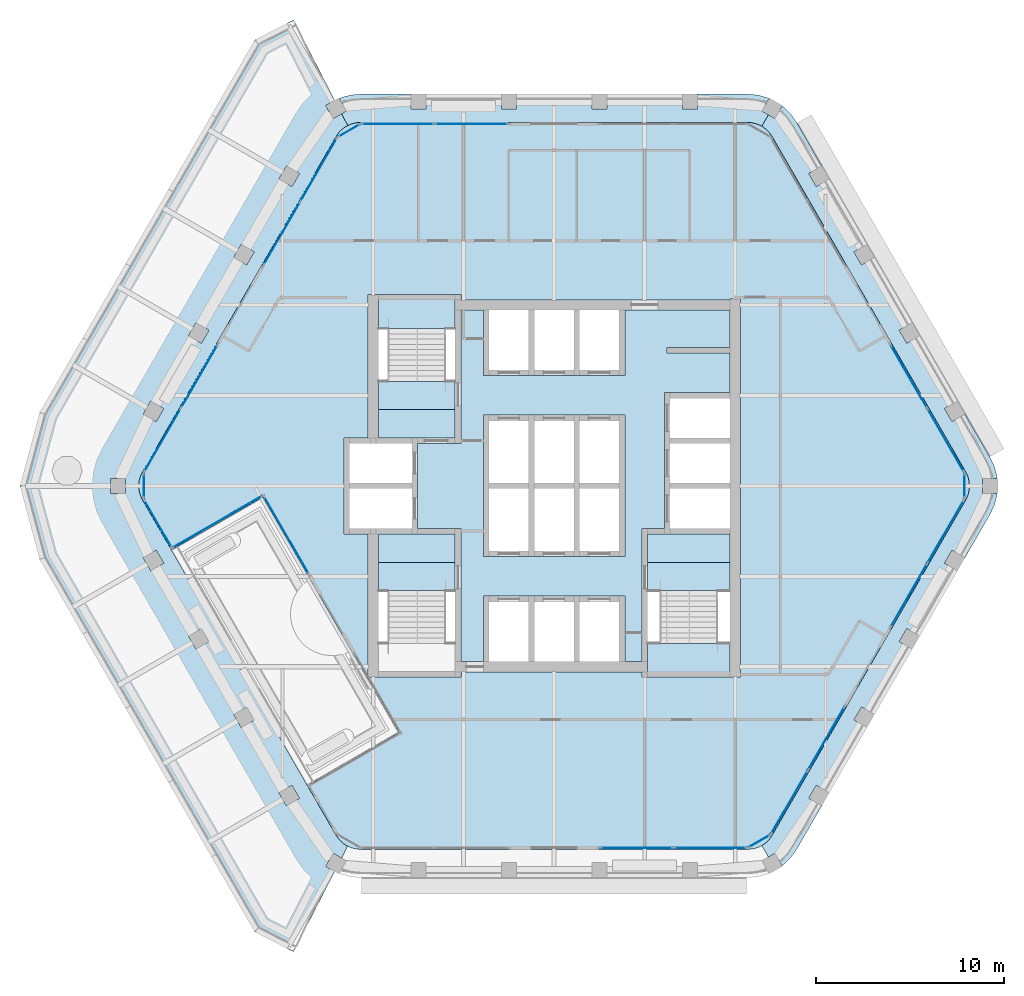
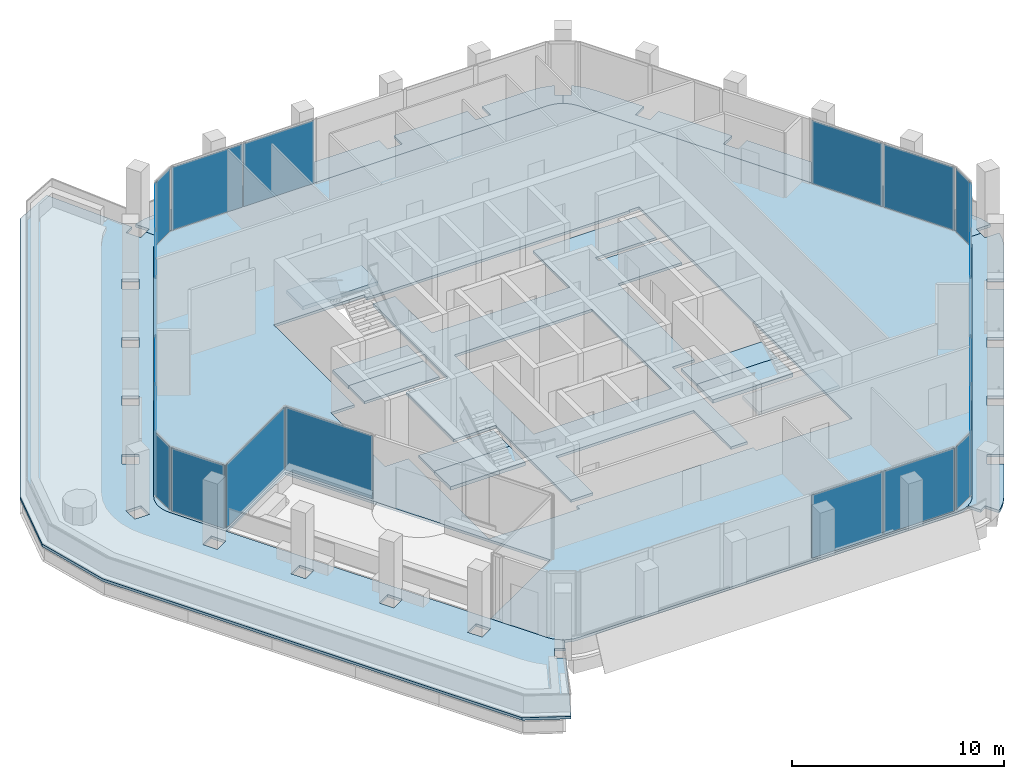
# One storey, part 8 of 15: 21 plates, 14 slabs, 17 elements without a shape of their own.
"""IFC4 building model written with IfcOpenShell, lengths in metres."""

from ifc_helpers import new_model, si_unit, direction, frame, origin, origin_2d, place, context, subcontext, project, spatial, polyline, rectangle, outline, extrude, material, layer, layer_set, type_object, element, aggregate, save


model = new_model("IFC4")

# Units and contexts
model_context = context("Model", 3, precision=1e-05, world=origin(), true_north=direction((0.0, 1.0)))
body_context = subcontext(model_context, "Body", "Model", "MODEL_VIEW")
ifc_project = project(units=[si_unit("LENGTHUNIT", "METRE"), si_unit("AREAUNIT", "SQUARE_METRE"), si_unit("VOLUMEUNIT", "CUBIC_METRE"), si_unit("PLANEANGLEUNIT", "RADIAN"), si_unit("MASSUNIT", "GRAM", prefix="KILO")], contexts=[model_context])

# Site, building, storey
site_placement = place(None, origin())
site = spatial("IfcSite", under=ifc_project, at=site_placement, CompositionType="ELEMENT")
building_placement = place(site_placement, origin())
building = spatial("IfcBuilding", under=site, at=building_placement, Name="Kolab Exchange Tower", CompositionType="ELEMENT")
storey_placement = place(building_placement, frame((0.0, 0.0, 238.39990234375)))
storey = spatial("IfcBuildingStorey", under=building, at=storey_placement, Name="L52", CompositionType="ELEMENT", Elevation=238.39990234375)

# Slabs
ifc_material_1 = material(Name="Concrete C35/45", Category="concrete")
ifc_layer_1 = layer(ifc_material_1, 0.14990234375)
ifc_layer_set_1 = layer_set([ifc_layer_1], Name="Concrete C35/45")
slab_type_1 = type_object("IfcSlabType", Name="FLOOR SLAB 150", PredefinedType="FLOOR", material=ifc_layer_set_1)
slab_1_placement = place(storey_placement, frame((0.0, 0.0, -0.14990234375)))
element("IfcSlab", 1, at=slab_1_placement, inside=storey, type_object=slab_type_1, Name="slab/L52/floor/0", PredefinedType="FLOOR", context=body_context, shape_type="SweptSolid", body=[
    extrude(outline(polyline([(-21.8349609375, -0.75), (-20.301025390625, -3.406982421875), (-15.451171875, -0.60693359375), (-8.251220703125, -13.07763671875), (-13.10107421875, -15.877685546875), (-11.56689453125, -18.53466796875), (-11.4169921875, -18.748779296875), (-11.232177734375, -18.93359375), (-11.01806640625, -19.083740234375), (-10.781005859375, -19.194091796875), (-10.5283203125, -19.26171875), (-10.26806640625, -19.28466796875), (10.26806640625, -19.28466796875), (10.5283203125, -19.26171875), (10.781005859375, -19.194091796875), (11.01806640625, -19.083740234375), (11.232177734375, -18.93359375), (11.4169921875, -18.748779296875), (11.56689453125, -18.53466796875), (21.8349609375, -0.75), (21.945556640625, -0.512939453125), (22.01318359375, -0.260498046875), (22.035888671875, 0.0), (22.01318359375, 0.260498046875), (21.945556640625, 0.512939453125), (21.8349609375, 0.75), (11.56689453125, 18.53466796875), (11.4169921875, 18.748779296875), (11.232177734375, 18.93359375), (11.01806640625, 19.083740234375), (10.781005859375, 19.194091796875), (10.5283203125, 19.26171875), (10.26806640625, 19.28466796875), (-10.26806640625, 19.28466796875), (-10.5283203125, 19.26171875), (-10.781005859375, 19.194091796875), (-11.01806640625, 19.083740234375), (-11.232177734375, 18.93359375), (-11.4169921875, 18.748779296875), (-11.56689453125, 18.53466796875), (-21.8349609375, 0.75), (-21.945556640625, 0.512939453125), (-22.01318359375, 0.260498046875), (-22.035888671875, 0.0), (-22.01318359375, -0.260498046875), (-21.945556640625, -0.512939453125), (-21.8349609375, -0.75)]), holes=[polyline([(-9.324951171875, -10.14990234375), (-9.875, -10.14990234375), (-9.875, -2.550048828125), (-10.85009765625, -2.550048828125), (-11.14990234375, -2.550048828125), (-11.14990234375, 2.550048828125), (-10.85009765625, 2.550048828125), (-9.875, 2.550048828125), (-9.875, 10.14990234375), (-9.324951171875, 10.14990234375), (-5.25, 10.14990234375), (-4.949951171875, 10.14990234375), (-4.949951171875, 9.875), (9.324951171875, 9.875), (9.324951171875, 9.925048828125), (9.875, 9.925048828125), (9.875, -10.14990234375), (9.324951171875, -10.14990234375), (4.949951171875, -10.14990234375), (4.64990234375, -10.14990234375), (4.64990234375, -9.875), (-4.949951171875, -9.875), (-4.949951171875, -10.14990234375), (-5.25, -10.14990234375), (-9.324951171875, -10.14990234375)])]), origin(), (0.0, 0.0, 1.0), 0.14990234375),
])
slab_2_placement = place(storey_placement, frame((0.0, 0.0, -0.14990234375)))
element("IfcSlab", 2, at=slab_2_placement, inside=storey, type_object=slab_type_1, Name="slab/L52/floor/1", PredefinedType="FLOOR", context=body_context, shape_type="SweptSolid", body=[
    extrude(outline(polyline([(-4.949951171875, 9.324951171875), (-4.949951171875, 2.25), (-5.25, 2.25), (-7.25, 2.25), (-7.25, -2.25), (-5.25, -2.25), (-4.949951171875, -2.25), (-4.949951171875, -9.324951171875), (-3.75, -9.324951171875), (-3.75, -5.85009765625), (-3.449951171875, -5.85009765625), (-1.35009765625, -5.85009765625), (-1.050048828125, -5.85009765625), (1.050048828125, -5.85009765625), (1.35009765625, -5.85009765625), (3.449951171875, -5.85009765625), (3.75, -5.85009765625), (3.75, -9.324951171875), (4.64990234375, -9.324951171875), (4.64990234375, -2.25), (4.949951171875, -2.25), (5.85009765625, -2.25), (5.85009765625, 4.949951171875), (6.14990234375, 4.949951171875), (9.324951171875, 4.949951171875), (9.324951171875, 7.050048828125), (6.0, 7.050048828125), (6.0, 7.35009765625), (9.324951171875, 7.35009765625), (9.324951171875, 9.324951171875), (3.75, 9.324951171875), (3.75, 5.85009765625), (3.449951171875, 5.85009765625), (1.35009765625, 5.85009765625), (1.050048828125, 5.85009765625), (-1.050048828125, 5.85009765625), (-1.35009765625, 5.85009765625), (-3.449951171875, 5.85009765625), (-3.75, 5.85009765625), (-3.75, 9.324951171875), (-4.949951171875, 9.324951171875)]), holes=[polyline([(-3.449951171875, -3.75), (-3.75, -3.75), (-3.75, 3.75), (-3.449951171875, 3.75), (-1.35009765625, 3.75), (-1.050048828125, 3.75), (1.050048828125, 3.75), (1.35009765625, 3.75), (3.449951171875, 3.75), (3.75, 3.75), (3.75, -3.75), (3.449951171875, -3.75), (1.35009765625, -3.75), (1.050048828125, -3.75), (-1.050048828125, -3.75), (-1.35009765625, -3.75), (-3.449951171875, -3.75)])]), origin(), (0.0, 0.0, 1.0), 0.14990234375),
])
slab_3_placement = place(storey_placement, frame((0.0, 0.0, -0.14990234375)))
element("IfcSlab", 3, at=slab_3_placement, inside=storey, type_object=slab_type_1, Name="slab/L52/floor/2", PredefinedType="FLOOR", context=body_context, shape_type="SweptSolid", body=[
    extrude(outline(polyline([(4.949951171875, -2.550048828125), (4.949951171875, -4.050048828125), (9.324951171875, -4.050048828125), (9.324951171875, -2.550048828125), (6.14990234375, -2.550048828125), (5.85009765625, -2.550048828125), (4.949951171875, -2.550048828125)])), origin(), (0.0, 0.0, 1.0), 0.14990234375),
])
slab_4_placement = place(storey_placement, frame((0.0, 0.0, -0.14990234375)))
element("IfcSlab", 4, at=slab_4_placement, inside=storey, type_object=slab_type_1, Name="slab/L52/floor/3", PredefinedType="FLOOR", context=body_context, shape_type="SweptSolid", body=[
    extrude(outline(polyline([(-7.550048828125, -2.550048828125), (-9.324951171875, -2.550048828125), (-9.324951171875, -4.050048828125), (-5.25, -4.050048828125), (-5.25, -2.550048828125), (-7.25, -2.550048828125), (-7.550048828125, -2.550048828125)])), origin(), (0.0, 0.0, 1.0), 0.14990234375),
])
slab_5_placement = place(storey_placement, frame((0.0, 0.0, -0.14990234375)))
element("IfcSlab", 5, at=slab_5_placement, inside=storey, type_object=slab_type_1, Name="slab/L52/floor/4", PredefinedType="FLOOR", context=body_context, shape_type="SweptSolid", body=[
    extrude(outline(polyline([(-9.324951171875, 4.050048828125), (-9.324951171875, 2.550048828125), (-7.550048828125, 2.550048828125), (-7.25, 2.550048828125), (-5.25, 2.550048828125), (-5.25, 4.050048828125), (-9.324951171875, 4.050048828125)])), origin(), (0.0, 0.0, 1.0), 0.14990234375),
])
ifc_layer_2 = layer(ifc_material_1, 0.14990234375)
ifc_layer_set_2 = layer_set([ifc_layer_2], Name="Concrete C35/45")
slab_type_2 = type_object("IfcSlabType", Name="LOGGIA SLAB 150", PredefinedType="FLOOR", material=ifc_layer_set_2)
slab_6_placement = place(storey_placement, frame((0.0, 0.0, -0.14990234375)))
element("IfcSlab", 6, at=slab_6_placement, inside=storey, type_object=slab_type_2, Name="slab/L52/loggia/0-0", PredefinedType="FLOOR", context=body_context, shape_type="SweptSolid", body=[
    extrude(outline(polyline([(10.781005859375, 19.194091796875), (11.01806640625, 19.083740234375), (11.367919921875, 19.68994140625), (11.021484375, 19.889892578125), (11.404052734375, 20.552490234375), (11.2939453125, 20.603759765625), (10.788818359375, 20.739013671875), (10.26806640625, 20.78466796875), (7.60009765625, 20.78466796875), (7.60009765625, 19.984619140625), (6.800048828125, 19.984619140625), (6.800048828125, 20.78466796875), (2.800048828125, 20.78466796875), (2.800048828125, 19.984619140625), (2.0, 19.984619140625), (2.0, 20.78466796875), (-2.0, 20.78466796875), (-2.0, 19.984619140625), (-2.800048828125, 19.984619140625), (-2.800048828125, 20.78466796875), (-6.800048828125, 20.78466796875), (-6.800048828125, 19.984619140625), (-7.60009765625, 19.984619140625), (-7.60009765625, 20.78466796875), (-10.26806640625, 20.78466796875), (-10.788818359375, 20.739013671875), (-11.2939453125, 20.603759765625), (-11.404052734375, 20.552490234375), (-11.021484375, 19.889892578125), (-11.271728515625, 19.745361328125), (-10.948974609375, 19.11572265625), (-10.781005859375, 19.194091796875), (-10.5283203125, 19.26171875), (-10.26806640625, 19.28466796875), (10.26806640625, 19.28466796875), (10.5283203125, 19.26171875), (10.781005859375, 19.194091796875)])), origin(), (0.0, 0.0, 1.0), 0.14990234375),
])
slab_7_placement = place(storey_placement, frame((0.0, 0.0, -0.14990234375)))
element("IfcSlab", 7, at=slab_7_placement, inside=storey, type_object=slab_type_2, Name="slab/L52/loggia/1-0", PredefinedType="FLOOR", context=body_context, shape_type="SweptSolid", body=[
    extrude(outline(polyline([(22.01318359375, 0.260498046875), (22.035888671875, 0.0), (22.73583984375, 0.0), (22.73583984375, 0.39990234375), (23.5009765625, 0.39990234375), (23.490234375, 0.52099609375), (23.35498046875, 1.026123046875), (23.134033203125, 1.5), (21.800048828125, 3.810546875), (21.107177734375, 3.410400390625), (20.707275390625, 4.103271484375), (21.39990234375, 4.50341796875), (19.39990234375, 7.967529296875), (18.707275390625, 7.5673828125), (18.30712890625, 8.26025390625), (19.0, 8.66015625), (17.0, 12.124267578125), (16.30712890625, 11.724365234375), (15.9072265625, 12.417236328125), (16.60009765625, 12.817138671875), (14.60009765625, 16.28125), (13.9072265625, 15.88134765625), (13.507080078125, 16.57421875), (14.199951171875, 16.97412109375), (12.865966796875, 19.28466796875), (12.566162109375, 19.712890625), (12.1962890625, 20.082763671875), (12.096923828125, 20.15234375), (11.71435546875, 19.48974609375), (11.367919921875, 19.68994140625), (11.01806640625, 19.083740234375), (11.232177734375, 18.93359375), (11.4169921875, 18.748779296875), (11.56689453125, 18.53466796875), (21.8349609375, 0.75), (21.945556640625, 0.512939453125), (22.01318359375, 0.260498046875)])), origin(), (0.0, 0.0, 1.0), 0.14990234375),
])
slab_8_placement = place(storey_placement, frame((0.0, 0.0, -0.14990234375)))
element("IfcSlab", 8, at=slab_8_placement, inside=storey, type_object=slab_type_2, Name="slab/L52/loggia/2-0", PredefinedType="FLOOR", context=body_context, shape_type="SweptSolid", body=[
    extrude(outline(polyline([(12.566162109375, -19.712890625), (12.865966796875, -19.28466796875), (14.199951171875, -16.97412109375), (13.507080078125, -16.57421875), (13.9072265625, -15.88134765625), (14.60009765625, -16.28125), (16.60009765625, -12.817138671875), (15.9072265625, -12.417236328125), (16.30712890625, -11.724365234375), (17.0, -12.124267578125), (19.0, -8.66015625), (18.30712890625, -8.26025390625), (18.707275390625, -7.5673828125), (19.39990234375, -7.967529296875), (21.39990234375, -4.50341796875), (20.707275390625, -4.103271484375), (21.107177734375, -3.410400390625), (21.800048828125, -3.810546875), (23.134033203125, -1.5), (23.35498046875, -1.026123046875), (23.490234375, -0.52099609375), (23.5009765625, -0.39990234375), (22.73583984375, -0.39990234375), (22.73583984375, 0.0), (22.035888671875, 0.0), (22.01318359375, -0.260498046875), (21.945556640625, -0.512939453125), (21.8349609375, -0.75), (11.56689453125, -18.53466796875), (11.4169921875, -18.748779296875), (11.232177734375, -18.93359375), (11.01806640625, -19.083740234375), (11.367919921875, -19.68994140625), (11.71435546875, -19.48974609375), (12.096923828125, -20.15234375), (12.1962890625, -20.082763671875), (12.566162109375, -19.712890625)])), origin(), (0.0, 0.0, 1.0), 0.14990234375),
])

# Stair, slabs
ifc_material_2 = material(Name="Concrete C50/60", Category="concrete")
stair_type_1 = type_object("IfcStairType", Name="STAIR ST1 RISER 177.3", PredefinedType="HALF_TURN_STAIR", material=ifc_material_2)
stair_1_placement = place(storey_placement, origin())
stair_1 = element("IfcStair", 9, at=stair_1_placement, inside=storey, type_object=stair_type_1, Name="Stair 1", PredefinedType="HALF_TURN_STAIR")
ifc_layer_3 = layer(ifc_material_2, 0.199951171875)
ifc_layer_set_3 = layer_set([ifc_layer_3], Name="Concrete C50/60")
slab_type_3 = type_object("IfcSlabType", Name="STAIR LANDING 200", PredefinedType="LANDING", material=ifc_layer_set_3)
slab_9_placement = place(storey_placement, frame((0.0, 0.0, -0.199951171875)))
slab_9 = element("IfcSlab", 10, at=slab_9_placement, type_object=slab_type_3, Name="ST1 landing 1", PredefinedType="LANDING", context=body_context, shape_type="SweptSolid", body=[
    extrude(outline(polyline([(-9.324951171875, 4.050048828125), (-5.25, 4.050048828125), (-5.25, 5.550048828125), (-9.324951171875, 5.550048828125), (-9.324951171875, 4.050048828125)])), origin(), (0.0, 0.0, 1.0), 0.199951171875),
])
slab_10_placement = place(storey_placement, frame((0.0, 0.0, 1.75)))
slab_10 = element("IfcSlab", 11, at=slab_10_placement, type_object=slab_type_3, Name="ST1 landing 2", PredefinedType="LANDING", context=body_context, shape_type="SweptSolid", body=[
    extrude(outline(polyline([(-9.324951171875, 8.35009765625), (-5.25, 8.35009765625), (-5.25, 9.909912109375), (-9.324951171875, 9.909912109375), (-9.324951171875, 8.35009765625)])), origin(), (0.0, 0.0, 1.0), 0.2001953125),
])
aggregate(stair_1, [slab_9, slab_10])

# Stair, slab
stair_type_2 = type_object("IfcStairType", Name="STAIR ST3 RISER 177.3", PredefinedType="HALF_TURN_STAIR", material=ifc_material_2)
stair_2_placement = place(storey_placement, origin())
stair_2 = element("IfcStair", 12, at=stair_2_placement, inside=storey, type_object=stair_type_2, Name="Stair 3", PredefinedType="HALF_TURN_STAIR")
slab_11_placement = place(storey_placement, frame((0.0, 0.0, -0.199951171875)))
slab_11 = element("IfcSlab", 13, at=slab_11_placement, type_object=slab_type_3, Name="ST3 landing 1", PredefinedType="LANDING", context=body_context, shape_type="SweptSolid", body=[
    extrude(outline(polyline([(-9.324951171875, -5.550048828125), (-5.25, -5.550048828125), (-5.25, -4.050048828125), (-9.324951171875, -4.050048828125), (-9.324951171875, -5.550048828125)])), origin(), (0.0, 0.0, 1.0), 0.199951171875),
])
aggregate(stair_2, [slab_11])

# Stair, slabs
stair_type_3 = type_object("IfcStairType", Name="STAIR ST2 RISER 177.3", PredefinedType="HALF_TURN_STAIR", material=ifc_material_2)
stair_3_placement = place(storey_placement, origin())
stair_3 = element("IfcStair", 14, at=stair_3_placement, inside=storey, type_object=stair_type_3, Name="Stair 2", PredefinedType="HALF_TURN_STAIR")
slab_12_placement = place(storey_placement, frame((0.0, 0.0, -0.199951171875)))
slab_12 = element("IfcSlab", 15, at=slab_12_placement, type_object=slab_type_3, Name="ST2 landing 1", PredefinedType="LANDING", context=body_context, shape_type="SweptSolid", body=[
    extrude(outline(polyline([(4.949951171875, -5.550048828125), (9.324951171875, -5.550048828125), (9.324951171875, -4.050048828125), (4.949951171875, -4.050048828125), (4.949951171875, -5.550048828125)])), origin(), (0.0, 0.0, 1.0), 0.199951171875),
])
slab_13_placement = place(storey_placement, frame((0.0, 0.0, 1.75)))
slab_13 = element("IfcSlab", 16, at=slab_13_placement, type_object=slab_type_3, Name="ST2 landing 2", PredefinedType="LANDING", context=body_context, shape_type="SweptSolid", body=[
    extrude(outline(polyline([(4.949951171875, -9.909912109375), (9.324951171875, -9.909912109375), (9.324951171875, -8.35009765625), (4.949951171875, -8.35009765625), (4.949951171875, -9.909912109375)])), origin(), (0.0, 0.0, 1.0), 0.2001953125),
])
aggregate(stair_3, [slab_12, slab_13])

# Slab
ifc_layer_4 = layer(ifc_material_1, 0.14990234375)
ifc_layer_set_4 = layer_set([ifc_layer_4], Name="Concrete C35/45")
slab_type_4 = type_object("IfcSlabType", Name="TERRACE SLAB 150 PLANTED", PredefinedType="ROOF", material=ifc_layer_set_4)
slab_14_placement = place(storey_placement, frame((0.0, 0.0, -0.14990234375)))
element("IfcSlab", 17, at=slab_14_placement, inside=storey, type_object=slab_type_4, Name="Roof terrace", PredefinedType="ROOF", context=body_context, shape_type="SweptSolid", body=[
    extrude(outline(polyline([(-28.3359375, 0.0), (-27.291015625, -3.89990234375), (-27.290771484375, -3.900146484375), (-15.88134765625, -23.661865234375), (-13.8212890625, -24.7177734375), (-11.637939453125, -20.457763671875), (-12.1142578125, -20.1826171875), (-11.71435546875, -19.48974609375), (-11.272705078125, -19.744873046875), (-10.949951171875, -19.115478515625), (-10.949951171875, -19.115234375), (-11.017822265625, -19.083740234375), (-11.01806640625, -19.083740234375), (-11.01806640625, -19.08349609375), (-11.23193359375, -18.933837890625), (-11.232177734375, -18.93359375), (-11.4169921875, -18.7490234375), (-11.4169921875, -18.748779296875), (-11.417236328125, -18.74853515625), (-11.56689453125, -18.53466796875), (-11.567138671875, -18.534423828125), (-21.8349609375, -0.75), (-21.9453125, -0.51318359375), (-21.9453125, -0.512939453125), (-21.945556640625, -0.512939453125), (-22.01318359375, -0.2607421875), (-22.01318359375, -0.260498046875), (-22.01318359375, -0.26025390625), (-22.035888671875, -0.000244140625), (-22.035888671875, 0.0), (-22.035888671875, 0.000244140625), (-22.01318359375, 0.26025390625), (-22.01318359375, 0.260498046875), (-22.01318359375, 0.2607421875), (-21.945556640625, 0.512939453125), (-21.9453125, 0.512939453125), (-21.9453125, 0.51318359375), (-21.8349609375, 0.75), (-11.567138671875, 18.534423828125), (-11.56689453125, 18.53466796875), (-11.417236328125, 18.74853515625), (-11.4169921875, 18.748779296875), (-11.4169921875, 18.7490234375), (-11.232177734375, 18.93359375), (-11.23193359375, 18.933837890625), (-11.01806640625, 19.08349609375), (-11.01806640625, 19.083740234375), (-11.017822265625, 19.083740234375), (-10.949951171875, 19.115234375), (-10.949951171875, 19.115478515625), (-11.272705078125, 19.744873046875), (-11.71435546875, 19.48974609375), (-12.1142578125, 20.1826171875), (-11.637939453125, 20.457763671875), (-13.8212890625, 24.7177734375), (-15.88134765625, 23.661865234375), (-27.290771484375, 3.900146484375), (-27.291015625, 3.89990234375), (-28.3359375, 0.0)]), holes=[polyline([(-14.60009765625, -16.28125), (-13.9072265625, -15.88134765625), (-13.507080078125, -16.57421875), (-14.199951171875, -16.97412109375), (-14.60009765625, -16.28125)]), polyline([(-17.0, -12.124267578125), (-16.30712890625, -11.724365234375), (-15.9072265625, -12.417236328125), (-16.60009765625, -12.817138671875), (-17.0, -12.124267578125)]), polyline([(-19.39990234375, -7.967529296875), (-18.707275390625, -7.5673828125), (-18.30712890625, -8.26025390625), (-19.0, -8.66015625), (-19.39990234375, -7.967529296875)]), polyline([(-21.800048828125, -3.810546875), (-21.107177734375, -3.410400390625), (-20.707275390625, -4.103271484375), (-21.39990234375, -4.50341796875), (-21.800048828125, -3.810546875)]), polyline([(-23.535888671875, 0.39990234375), (-22.73583984375, 0.39990234375), (-22.73583984375, -0.39990234375), (-23.535888671875, -0.39990234375), (-23.535888671875, 0.39990234375)]), polyline([(-21.107177734375, 3.410400390625), (-21.800048828125, 3.810546875), (-21.39990234375, 4.50341796875), (-20.707275390625, 4.103271484375), (-21.107177734375, 3.410400390625)]), polyline([(-19.39990234375, 7.967529296875), (-19.0, 8.66015625), (-18.30712890625, 8.26025390625), (-18.707275390625, 7.5673828125), (-19.39990234375, 7.967529296875)]), polyline([(-17.0, 12.124267578125), (-16.60009765625, 12.817138671875), (-15.9072265625, 12.417236328125), (-16.30712890625, 11.724365234375), (-17.0, 12.124267578125)]), polyline([(-14.60009765625, 16.28125), (-14.199951171875, 16.97412109375), (-13.507080078125, 16.57421875), (-13.9072265625, 15.88134765625), (-14.60009765625, 16.28125)])]), origin(), (0.0, 0.0, 1.0), 0.14990234375),
])

# Curtain wall, plates
ifc_material_3 = material(Name="Aluminium EN AW-6063 T6", Category="aluminium")
curtain_wall_type = type_object("IfcCurtainWallType", Name="UNITISED HIGH ZONE CURTAIN WALL", PredefinedType="NOTDEFINED", material=ifc_material_3)
curtain_wall_1_placement = place(storey_placement, origin())
curtain_wall_1 = element("IfcCurtainWall", 18, at=curtain_wall_1_placement, inside=storey, type_object=curtain_wall_type, Name="cw/L52/F1-1", PredefinedType="NOTDEFINED")
ifc_material_4 = material(Name="Clear insulated glazing unit", Category="glass")
ifc_layer_5 = layer(ifc_material_4, 0.030029296875)
ifc_layer_set_5 = layer_set([ifc_layer_5], Name="Clear insulated glazing unit")
plate_type = type_object("IfcPlateType", Name="UNITISED HIGH ZONE GLASS PANEL 30", PredefinedType="CURTAIN_PANEL", material=ifc_layer_set_5)
plate_1_placement = place(storey_placement, frame((-8.285888671875, 19.20458984375, 0.06005859375), z_axis=(0.0, 0.0, 1.0), x_axis=(1.0, 0.0, 0.0)))
plate_1 = element("IfcPlate", 19, at=plate_1_placement, type_object=plate_type, Name="CW4 panel 1.1", PredefinedType="CURTAIN_PANEL", context=body_context, shape_type="SweptSolid", body=[
    extrude(rectangle(XDim=3.843994140625, YDim=0.030029296875, at=origin_2d()), origin(), (0.0, 0.0, 1.0), 3.6298828125),
])
plate_2_placement = place(storey_placement, frame((-4.382080078125, 19.20458984375, 0.06005859375), z_axis=(0.0, 0.0, 1.0), x_axis=(1.0, 0.0, 0.0)))
plate_2 = element("IfcPlate", 20, at=plate_2_placement, type_object=plate_type, Name="CW4 panel 2.1", PredefinedType="CURTAIN_PANEL", context=body_context, shape_type="SweptSolid", body=[
    extrude(rectangle(XDim=3.843994140625, YDim=0.030029296875, at=origin_2d()), origin(), (0.0, 0.0, 1.0), 3.6298828125),
])
aggregate(curtain_wall_1, [plate_1, plate_2])

curtain_wall_2_placement = place(storey_placement, origin())
curtain_wall_2 = element("IfcCurtainWall", 21, at=curtain_wall_2_placement, inside=storey, type_object=curtain_wall_type, Name="cw/L52/F2-2", PredefinedType="NOTDEFINED")
plate_3_placement = place(storey_placement, frame((18.82275390625, 5.807373046875, 0.06005859375), z_axis=(0.0, 0.0, 1.0), x_axis=(0.499999936366, -0.866025440524, 0.0)))
plate_3 = element("IfcPlate", 22, at=plate_3_placement, type_object=plate_type, Name="CW4 panel 1.1", PredefinedType="CURTAIN_PANEL", context=body_context, shape_type="SweptSolid", body=[
    extrude(rectangle(XDim=3.843994140625, YDim=0.030029296875, at=origin_2d()), origin(), (0.0, 0.0, 1.0), 3.6298828125),
])
plate_4_placement = place(storey_placement, frame((20.774658203125, 2.426513671875, 0.06005859375), z_axis=(0.0, 0.0, 1.0), x_axis=(0.499999936366, -0.866025440524, 0.0)))
plate_4 = element("IfcPlate", 23, at=plate_4_placement, type_object=plate_type, Name="CW4 panel 2.1", PredefinedType="CURTAIN_PANEL", context=body_context, shape_type="SweptSolid", body=[
    extrude(rectangle(XDim=3.843994140625, YDim=0.030029296875, at=origin_2d()), origin(), (0.0, 0.0, 1.0), 3.6298828125),
])
aggregate(curtain_wall_2, [plate_3, plate_4])

curtain_wall_3_placement = place(storey_placement, origin())
curtain_wall_3 = element("IfcCurtainWall", 24, at=curtain_wall_3_placement, inside=storey, type_object=curtain_wall_type, Name="cw/L52/F3-1", PredefinedType="NOTDEFINED")
plate_5_placement = place(storey_placement, frame((20.774658203125, -2.426513671875, 0.06005859375), z_axis=(0.0, 0.0, 1.0), x_axis=(-0.499999936366, -0.866025440524, 0.0)))
plate_5 = element("IfcPlate", 25, at=plate_5_placement, type_object=plate_type, Name="CW4 panel 1.1", PredefinedType="CURTAIN_PANEL", context=body_context, shape_type="SweptSolid", body=[
    extrude(rectangle(XDim=3.843994140625, YDim=0.030029296875, at=origin_2d()), origin(), (0.0, 0.0, 1.0), 3.6298828125),
])
plate_6_placement = place(storey_placement, frame((18.82275390625, -5.807373046875, 0.06005859375), z_axis=(0.0, 0.0, 1.0), x_axis=(-0.499999936366, -0.866025440524, 0.0)))
plate_6 = element("IfcPlate", 26, at=plate_6_placement, type_object=plate_type, Name="CW4 panel 2.1", PredefinedType="CURTAIN_PANEL", context=body_context, shape_type="SweptSolid", body=[
    extrude(rectangle(XDim=3.843994140625, YDim=0.030029296875, at=origin_2d()), origin(), (0.0, 0.0, 1.0), 3.6298828125),
])
aggregate(curtain_wall_3, [plate_5, plate_6])

curtain_wall_4_placement = place(storey_placement, origin())
curtain_wall_4 = element("IfcCurtainWall", 27, at=curtain_wall_4_placement, inside=storey, type_object=curtain_wall_type, Name="cw/L52/F3-2", PredefinedType="NOTDEFINED")
plate_7_placement = place(storey_placement, frame((14.440673828125, -13.397216796875, 0.06005859375), z_axis=(0.0, 0.0, 1.0), x_axis=(-0.500000031681, -0.866025385493, 0.0)))
plate_7 = element("IfcPlate", 28, at=plate_7_placement, type_object=plate_type, Name="CW4 panel 1.1", PredefinedType="CURTAIN_PANEL", context=body_context, shape_type="SweptSolid", body=[
    extrude(rectangle(XDim=3.843994140625, YDim=0.030029296875, at=origin_2d()), origin(), (0.0, 0.0, 1.0), 3.6298828125),
])
plate_8_placement = place(storey_placement, frame((12.48876953125, -16.778076171875, 0.06005859375), z_axis=(0.0, 0.0, 1.0), x_axis=(-0.500000031681, -0.866025385493, 0.0)))
plate_8 = element("IfcPlate", 29, at=plate_8_placement, type_object=plate_type, Name="CW4 panel 2.1", PredefinedType="CURTAIN_PANEL", context=body_context, shape_type="SweptSolid", body=[
    extrude(rectangle(XDim=3.843994140625, YDim=0.030029296875, at=origin_2d()), origin(), (0.0, 0.0, 1.0), 3.6298828125),
])
aggregate(curtain_wall_4, [plate_7, plate_8])

curtain_wall_5_placement = place(storey_placement, origin())
curtain_wall_5 = element("IfcCurtainWall", 30, at=curtain_wall_5_placement, inside=storey, type_object=curtain_wall_type, Name="cw/L52/F4-1", PredefinedType="NOTDEFINED")
plate_9_placement = place(storey_placement, frame((8.285888671875, -19.20458984375, 0.06005859375), z_axis=(0.0, 0.0, 1.0), x_axis=(-1.0, 0.0, 0.0)))
plate_9 = element("IfcPlate", 31, at=plate_9_placement, type_object=plate_type, Name="CW4 panel 1.1", PredefinedType="CURTAIN_PANEL", context=body_context, shape_type="SweptSolid", body=[
    extrude(rectangle(XDim=3.843994140625, YDim=0.030029296875, at=origin_2d()), origin(), (0.0, 0.0, 1.0), 3.6298828125),
])
plate_10_placement = place(storey_placement, frame((4.382080078125, -19.20458984375, 0.06005859375), z_axis=(0.0, 0.0, 1.0), x_axis=(-1.0, 0.0, 0.0)))
plate_10 = element("IfcPlate", 32, at=plate_10_placement, type_object=plate_type, Name="CW4 panel 2.1", PredefinedType="CURTAIN_PANEL", context=body_context, shape_type="SweptSolid", body=[
    extrude(rectangle(XDim=3.843994140625, YDim=0.030029296875, at=origin_2d()), origin(), (0.0, 0.0, 1.0), 3.6298828125),
])
aggregate(curtain_wall_5, [plate_9, plate_10])

# Curtain wall, plate
curtain_wall_6_placement = place(storey_placement, origin())
curtain_wall_6 = element("IfcCurtainWall", 33, at=curtain_wall_6_placement, inside=storey, type_object=curtain_wall_type, Name="cw/L52/F5-back-2", PredefinedType="NOTDEFINED")
plate_11_placement = place(storey_placement, frame((-14.20849609375, -2.59912109375, 0.06005859375), z_axis=(0.0, 0.0, 1.0), x_axis=(-0.500000047915, 0.866025376121, 0.0)))
plate_11 = element("IfcPlate", 34, at=plate_11_placement, type_object=plate_type, Name="CW4 panel 1.1", PredefinedType="CURTAIN_PANEL", context=body_context, shape_type="SweptSolid", body=[
    extrude(rectangle(XDim=4.7333984375, YDim=0.030029296875, at=origin_2d()), origin(), (0.0, 0.0, 1.0), 3.6298828125),
])
aggregate(curtain_wall_6, [plate_11])

curtain_wall_7_placement = place(storey_placement, origin())
curtain_wall_7 = element("IfcCurtainWall", 35, at=curtain_wall_7_placement, inside=storey, type_object=curtain_wall_type, Name="cw/L52/F5-rr-1", PredefinedType="NOTDEFINED")
plate_12_placement = place(storey_placement, frame((-17.846923828125, -1.897705078125, 0.06005859375), z_axis=(0.0, 0.0, 1.0), x_axis=(-0.866025392126, -0.500000020194, 0.0)))
plate_12 = element("IfcPlate", 36, at=plate_12_placement, type_object=plate_type, Name="CW4 panel 1.1", PredefinedType="CURTAIN_PANEL", context=body_context, shape_type="SweptSolid", body=[
    extrude(rectangle(XDim=5.47998046875, YDim=0.030029296875, at=origin_2d()), origin(), (0.0, 0.0, 1.0), 3.6298828125),
])
aggregate(curtain_wall_7, [plate_12])

curtain_wall_8_placement = place(storey_placement, origin())
curtain_wall_8 = element("IfcCurtainWall", 37, at=curtain_wall_8_placement, inside=storey, type_object=curtain_wall_type, Name="cw/L52/F5-r-1", PredefinedType="NOTDEFINED")
plate_13_placement = place(storey_placement, frame((-21.0185546875, -2.00390625, 0.06005859375), z_axis=(0.0, 0.0, 1.0), x_axis=(-0.499999836698, 0.866025498067, 0.0)))
plate_13 = element("IfcPlate", 38, at=plate_13_placement, type_object=plate_type, Name="CW4 panel 1.1", PredefinedType="CURTAIN_PANEL", context=body_context, shape_type="SweptSolid", body=[
    extrude(rectangle(XDim=2.867919921875, YDim=0.030029296875, at=origin_2d()), origin(), (0.0, 0.0, 1.0), 3.6298828125),
])
aggregate(curtain_wall_8, [plate_13])

# Curtain wall, plates
curtain_wall_9_placement = place(storey_placement, origin())
curtain_wall_9 = element("IfcCurtainWall", 39, at=curtain_wall_9_placement, inside=storey, type_object=curtain_wall_type, Name="cw/L52/F6-1", PredefinedType="NOTDEFINED")
plate_14_placement = place(storey_placement, frame((-20.774658203125, 2.426513671875, 0.06005859375), z_axis=(0.0, 0.0, 1.0), x_axis=(0.499999936366, 0.866025440524, 0.0)))
plate_14 = element("IfcPlate", 40, at=plate_14_placement, type_object=plate_type, Name="CW4 panel 1.1", PredefinedType="CURTAIN_PANEL", context=body_context, shape_type="SweptSolid", body=[
    extrude(rectangle(XDim=3.843994140625, YDim=0.030029296875, at=origin_2d()), origin(), (0.0, 0.0, 1.0), 3.6298828125),
])
plate_15_placement = place(storey_placement, frame((-18.82275390625, 5.807373046875, 0.06005859375), z_axis=(0.0, 0.0, 1.0), x_axis=(0.499999936366, 0.866025440524, 0.0)))
plate_15 = element("IfcPlate", 41, at=plate_15_placement, type_object=plate_type, Name="CW4 panel 2.1", PredefinedType="CURTAIN_PANEL", context=body_context, shape_type="SweptSolid", body=[
    extrude(rectangle(XDim=3.843994140625, YDim=0.030029296875, at=origin_2d()), origin(), (0.0, 0.0, 1.0), 3.6298828125),
])
aggregate(curtain_wall_9, [plate_14, plate_15])

curtain_wall_10_placement = place(storey_placement, origin())
curtain_wall_10 = element("IfcCurtainWall", 42, at=curtain_wall_10_placement, inside=storey, type_object=curtain_wall_type, Name="cw/L52/F6-2", PredefinedType="NOTDEFINED")
plate_16_placement = place(storey_placement, frame((-14.440673828125, 13.397216796875, 0.06005859375), z_axis=(0.0, 0.0, 1.0), x_axis=(0.500000031681, 0.866025385493, 0.0)))
plate_16 = element("IfcPlate", 43, at=plate_16_placement, type_object=plate_type, Name="CW4 panel 1.1", PredefinedType="CURTAIN_PANEL", context=body_context, shape_type="SweptSolid", body=[
    extrude(rectangle(XDim=3.843994140625, YDim=0.030029296875, at=origin_2d()), origin(), (0.0, 0.0, 1.0), 3.6298828125),
])
plate_17_placement = place(storey_placement, frame((-12.48876953125, 16.778076171875, 0.06005859375), z_axis=(0.0, 0.0, 1.0), x_axis=(0.500000031681, 0.866025385493, 0.0)))
plate_17 = element("IfcPlate", 44, at=plate_17_placement, type_object=plate_type, Name="CW4 panel 2.1", PredefinedType="CURTAIN_PANEL", context=body_context, shape_type="SweptSolid", body=[
    extrude(rectangle(XDim=3.843994140625, YDim=0.030029296875, at=origin_2d()), origin(), (0.0, 0.0, 1.0), 3.6298828125),
])
aggregate(curtain_wall_10, [plate_16, plate_17])

# Curtain wall, plate
curtain_wall_11_placement = place(storey_placement, origin())
curtain_wall_11 = element("IfcCurtainWall", 45, at=curtain_wall_11_placement, inside=storey, type_object=curtain_wall_type, Name="cw/L52/F2F3-corner", PredefinedType="NOTDEFINED")
plate_18_placement = place(storey_placement, frame((21.765625, 0.0, 0.06005859375), z_axis=(0.0, 0.0, 1.0), x_axis=(0.0, -1.0, 0.0)))
plate_18 = element("IfcPlate", 46, at=plate_18_placement, type_object=plate_type, Name="CW4 panel 1.1", PredefinedType="CURTAIN_PANEL", context=body_context, shape_type="SweptSolid", body=[
    extrude(rectangle(XDim=1.300048828125, YDim=0.030029296875, at=origin_2d()), origin(), (0.0, 0.0, 1.0), 3.6298828125),
])
aggregate(curtain_wall_11, [plate_18])

curtain_wall_12_placement = place(storey_placement, origin())
curtain_wall_12 = element("IfcCurtainWall", 47, at=curtain_wall_12_placement, inside=storey, type_object=curtain_wall_type, Name="cw/L52/F3F4-corner", PredefinedType="NOTDEFINED")
plate_19_placement = place(storey_placement, frame((10.8828125, -18.849609375, 0.06005859375), z_axis=(0.0, 0.0, 1.0), x_axis=(-0.866025390869, -0.50000002237, 0.0)))
plate_19 = element("IfcPlate", 48, at=plate_19_placement, type_object=plate_type, Name="CW4 panel 1.1", PredefinedType="CURTAIN_PANEL", context=body_context, shape_type="SweptSolid", body=[
    extrude(rectangle(XDim=1.300048828125, YDim=0.030029296875, at=origin_2d()), origin(), (0.0, 0.0, 1.0), 3.6298828125),
])
aggregate(curtain_wall_12, [plate_19])

curtain_wall_13_placement = place(storey_placement, origin())
curtain_wall_13 = element("IfcCurtainWall", 49, at=curtain_wall_13_placement, inside=storey, type_object=curtain_wall_type, Name="cw/L52/F5F6-corner", PredefinedType="NOTDEFINED")
plate_20_placement = place(storey_placement, frame((-21.765625, 0.0, 0.06005859375), z_axis=(0.0, 0.0, 1.0), x_axis=(0.0, 1.0, 0.0)))
plate_20 = element("IfcPlate", 50, at=plate_20_placement, type_object=plate_type, Name="CW4 panel 1.1", PredefinedType="CURTAIN_PANEL", context=body_context, shape_type="SweptSolid", body=[
    extrude(rectangle(XDim=1.300048828125, YDim=0.030029296875, at=origin_2d()), origin(), (0.0, 0.0, 1.0), 3.6298828125),
])
aggregate(curtain_wall_13, [plate_20])

curtain_wall_14_placement = place(storey_placement, origin())
curtain_wall_14 = element("IfcCurtainWall", 51, at=curtain_wall_14_placement, inside=storey, type_object=curtain_wall_type, Name="cw/L52/F6F1-corner", PredefinedType="NOTDEFINED")
plate_21_placement = place(storey_placement, frame((-10.8828125, 18.849609375, 0.06005859375), z_axis=(0.0, 0.0, 1.0), x_axis=(0.866025390869, 0.50000002237, 0.0)))
plate_21 = element("IfcPlate", 52, at=plate_21_placement, type_object=plate_type, Name="CW4 panel 1.1", PredefinedType="CURTAIN_PANEL", context=body_context, shape_type="SweptSolid", body=[
    extrude(rectangle(XDim=1.300048828125, YDim=0.030029296875, at=origin_2d()), origin(), (0.0, 0.0, 1.0), 3.6298828125),
])
aggregate(curtain_wall_14, [plate_21])

save(model, "model.ifc")
